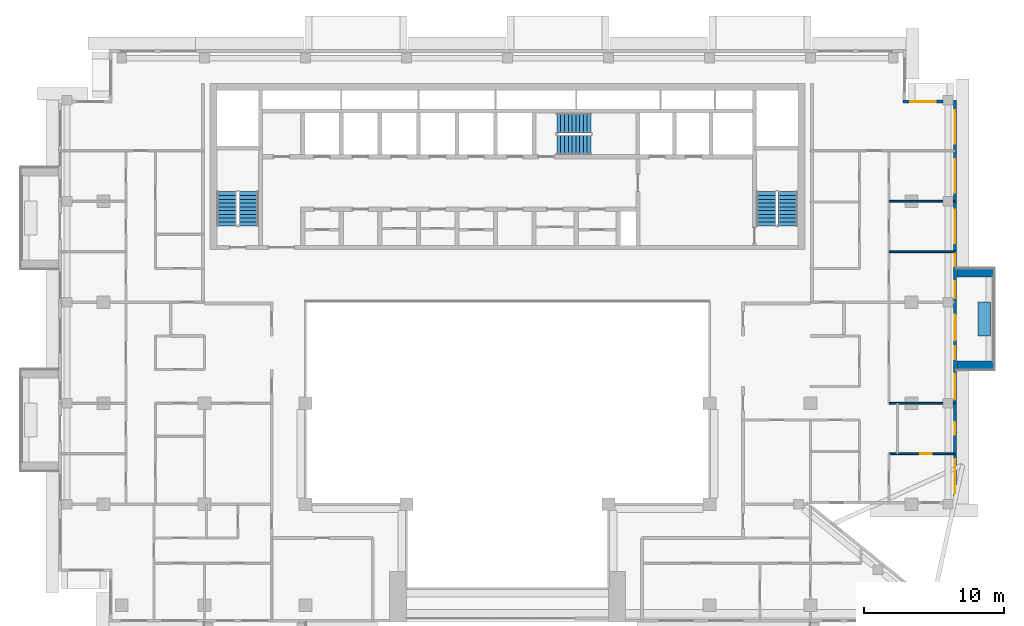
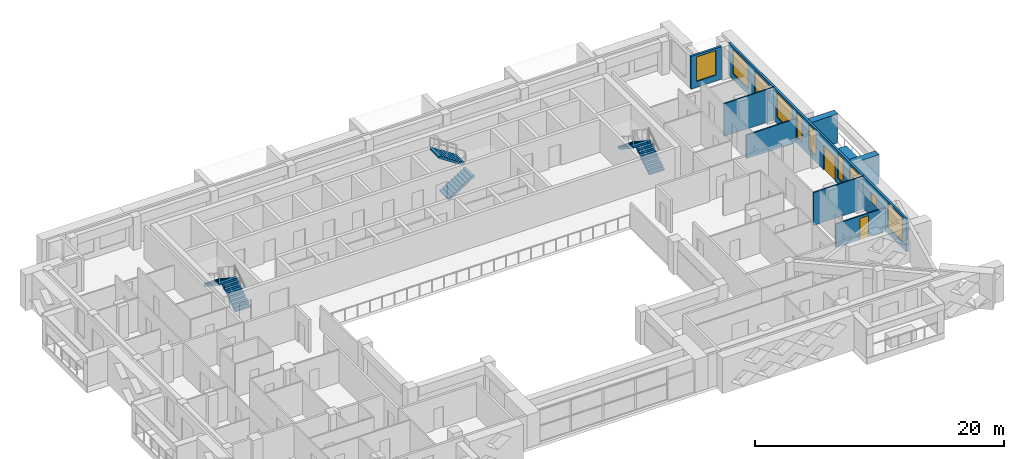
# One storey, part 12 of 19: 10 windows, 9 walls, 6 stair flights, 2 doors, 12 openings, 3 elements without a shape of their own.
"""IFC4 building model written with IfcOpenShell, lengths in metres."""

from ifc_helpers import new_model, si_unit, direction, frame, frame_2d, origin, place, context, subcontext, project, spatial, polyline, rectangle, outline, extrude, material, layer, layer_set, type_object, element, fill, aggregate, save


model = new_model("IFC4")

# Units and contexts
model_context = context("Model", 3, precision=1e-05, world=origin(), true_north=direction((0.0, 1.0)))
body_context = subcontext(model_context, "Body", "Model", "MODEL_VIEW")
ifc_project = project(units=[si_unit("LENGTHUNIT", "METRE"), si_unit("AREAUNIT", "SQUARE_METRE"), si_unit("VOLUMEUNIT", "CUBIC_METRE"), si_unit("PLANEANGLEUNIT", "RADIAN"), si_unit("MASSUNIT", "GRAM", prefix="KILO")], contexts=[model_context])

# Site, building, storey
site_placement = place(None, origin())
site = spatial("IfcSite", under=ifc_project, at=site_placement, CompositionType="ELEMENT")
building_placement = place(site_placement, origin())
building = spatial("IfcBuilding", under=site, at=building_placement, Name="Saffron Iwan Residences", CompositionType="ELEMENT")
storey_placement = place(building_placement, frame((0.0, 0.0, 222.0)))
storey = spatial("IfcBuildingStorey", under=building, at=storey_placement, Name="L59", CompositionType="ELEMENT", Elevation=222.0)

# Walls
ifc_material_1 = material(Name="Concrete C50/60 white painted", Category="concrete")
ifc_layer_1 = layer(ifc_material_1, 0.60009765625)
ifc_layer_set_1 = layer_set([ifc_layer_1], Name="Concrete C50/60 white painted")
wall_type_1 = type_object("IfcWallType", Name="BALCONY FIN 600", PredefinedType="SOLIDWALL", material=ifc_layer_set_1)
for number, where, z_axis, x_axis, name in (
    (1, (82.449951171875, 57.89990234375, 0.0), (0.0, 0.0, 1.0), (1.0, 0.0, 0.0), "Balcony fin L59 F2-0a"),
    (2, (82.449951171875, 64.5, 0.0), (0.0, 0.0, 1.0), (1.0, 0.0, 0.0), "Balcony fin L59 F2-0b"),
):
    element("IfcWall", number, at=place(storey_placement, frame(where, z_axis=z_axis, x_axis=x_axis)), inside=storey, type_object=wall_type_1, Name=name, PredefinedType="SOLIDWALL", context=body_context, shape_type="SweptSolid", body=[
        extrude(rectangle(XDim=2.650146484375, YDim=0.60009765625, at=frame_2d((1.3251953125, 0.0))), origin(), (0.0, 0.0, 1.0), 2.85009765625),
    ])
ifc_material_2 = material(Name="Concrete C35/45 white painted", Category="concrete")
ifc_layer_2 = layer(ifc_material_2, 0.14990234375)
ifc_layer_set_2 = layer_set([ifc_layer_2], Name="Concrete C35/45 white painted")
wall_type_2 = type_object("IfcWallType", Name="BALCONY PLANTER", PredefinedType="SOLIDWALL", material=ifc_layer_set_2)
wall_1_placement = place(storey_placement, frame((84.375, 60.0, 0.0), z_axis=(0.0, 0.0, 1.0), x_axis=(0.0, 1.0, 0.0)))
element("IfcWall", 3, at=wall_1_placement, inside=storey, type_object=wall_type_2, Name="PLANTER L59 F2-0", PredefinedType="SOLIDWALL", context=body_context, shape_type="SweptSolid", body=[
    extrude(rectangle(XDim=2.39990234375, YDim=0.89990234375, at=frame_2d((1.199951171875, 0.0))), origin(), (0.0, 0.0, 1.0), 0.89990234375),
])

# Wall, openings, door, windows
ifc_material_3 = material(Name="Concrete C40/50", Category="concrete")
ifc_layer_3 = layer(ifc_material_3, 0.199951171875)
ifc_layer_set_3 = layer_set([ifc_layer_3], Name="Concrete C40/50")
wall_type_3 = type_object("IfcWallType", Name="EXTERNAL WALL 200", PredefinedType="SOLIDWALL", material=ifc_layer_set_3)
wall_2_placement = place(storey_placement, frame((82.300048828125, 48.199951171875, 0.0), z_axis=(0.0, 0.0, 1.0), x_axis=(0.0, 1.0, 0.0)))
wall_2 = element("IfcWall", 4, at=wall_2_placement, inside=storey, type_object=wall_type_3, Name="External wall L59 F2.0", PredefinedType="SOLIDWALL", context=body_context, shape_type="SweptSolid", body=[
    extrude(rectangle(XDim=28.60009765625, YDim=0.199951171875, at=frame_2d((14.300048828125, 0.0))), origin(), (0.0, 0.0, 1.0), 3.219970703125),
])
opening_1_placement = place(wall_2_placement, frame((11.5, 0.0, 0.0)))
opening_1 = element("IfcOpeningElement", 5, at=opening_1_placement, cuts=wall_2, Name="Opening BD1", PredefinedType="OPENING", context=body_context, shape_type="SweptSolid", body=[
    extrude(rectangle(XDim=1.800048828125, YDim=2.39990234375, at=frame_2d((0.89990234375, 1.199951171875))), frame((0.0, 0.10986328125, 0.0), z_axis=(0.0, -1.0, 0.0), x_axis=(1.0, 0.0, 0.0)), (0.0, 0.0, 1.0), 0.219970703125),
])
opening_2_placement = place(wall_2_placement, frame((0.60009765625, 0.0, 0.60009765625)))
opening_2 = element("IfcOpeningElement", 6, at=opening_2_placement, cuts=wall_2, Name="Opening W1", PredefinedType="OPENING", context=body_context, shape_type="SweptSolid", body=[
    extrude(rectangle(XDim=2.39990234375, YDim=2.39990234375, at=frame_2d((1.199951171875, 1.199951171875))), frame((0.0, 0.10986328125, 0.0), z_axis=(0.0, -1.0, 0.0), x_axis=(1.0, 0.0, 0.0)), (0.0, 0.0, 1.0), 0.219970703125),
])
opening_3_placement = place(wall_2_placement, frame((4.75, 0.0, 1.5)))
opening_3 = element("IfcOpeningElement", 7, at=opening_3_placement, cuts=wall_2, Name="Opening W6", PredefinedType="OPENING", context=body_context, shape_type="SweptSolid", body=[
    extrude(rectangle(XDim=0.89990234375, YDim=0.89990234375, at=frame_2d((0.449951171875, 0.449951171875))), frame((0.0, 0.10986328125, 0.0), z_axis=(0.0, -1.0, 0.0), x_axis=(1.0, 0.0, 0.0)), (0.0, 0.0, 1.0), 0.219970703125),
])
opening_4_placement = place(wall_2_placement, frame((7.300048828125, 0.0, 0.60009765625)))
opening_4 = element("IfcOpeningElement", 8, at=opening_4_placement, cuts=wall_2, Name="Opening W8", PredefinedType="OPENING", context=body_context, shape_type="SweptSolid", body=[
    extrude(rectangle(XDim=1.800048828125, YDim=2.39990234375, at=frame_2d((0.89990234375, 1.199951171875))), frame((0.0, 0.10986328125, 0.0), z_axis=(0.0, -1.0, 0.0), x_axis=(1.0, 0.0, 0.0)), (0.0, 0.0, 1.0), 0.219970703125),
])
opening_5_placement = place(wall_2_placement, frame((10.14990234375, 0.0, 0.60009765625)))
opening_5 = element("IfcOpeningElement", 9, at=opening_5_placement, cuts=wall_2, Name="Opening W10", PredefinedType="OPENING", context=body_context, shape_type="SweptSolid", body=[
    extrude(rectangle(XDim=0.89990234375, YDim=2.39990234375, at=frame_2d((0.449951171875, 1.199951171875))), frame((0.0, 0.10986328125, 0.0), z_axis=(0.0, -1.0, 0.0), x_axis=(1.0, 0.0, 0.0)), (0.0, 0.0, 1.0), 0.219970703125),
])
opening_6_placement = place(wall_2_placement, frame((14.5, 0.0, 0.60009765625)))
opening_6 = element("IfcOpeningElement", 10, at=opening_6_placement, cuts=wall_2, Name="Opening W3", PredefinedType="OPENING", context=body_context, shape_type="SweptSolid", body=[
    extrude(rectangle(XDim=1.199951171875, YDim=2.39990234375, at=frame_2d((0.60009765625, 1.199951171875))), frame((0.0, 0.10986328125, 0.0), z_axis=(0.0, -1.0, 0.0), x_axis=(1.0, 0.0, 0.0)), (0.0, 0.0, 1.0), 0.219970703125),
])
opening_7_placement = place(wall_2_placement, frame((16.75, 0.0, 0.60009765625)))
opening_7 = element("IfcOpeningElement", 11, at=opening_7_placement, cuts=wall_2, Name="Opening W10", PredefinedType="OPENING", context=body_context, shape_type="SweptSolid", body=[
    extrude(rectangle(XDim=0.89990234375, YDim=2.39990234375, at=frame_2d((0.449951171875, 1.199951171875))), frame((0.0, 0.10986328125, 0.0), z_axis=(0.0, -1.0, 0.0), x_axis=(1.0, 0.0, 0.0)), (0.0, 0.0, 1.0), 0.219970703125),
])
opening_8_placement = place(wall_2_placement, frame((18.39990234375, 0.0, 0.60009765625)))
opening_8 = element("IfcOpeningElement", 12, at=opening_8_placement, cuts=wall_2, Name="Opening W1", PredefinedType="OPENING", context=body_context, shape_type="SweptSolid", body=[
    extrude(rectangle(XDim=2.39990234375, YDim=2.39990234375, at=frame_2d((1.199951171875, 1.199951171875))), frame((0.0, 0.10986328125, 0.0), z_axis=(0.0, -1.0, 0.0), x_axis=(1.0, 0.0, 0.0)), (0.0, 0.0, 1.0), 0.219970703125),
])
opening_9_placement = place(wall_2_placement, frame((22.0, 0.0, 0.60009765625)))
opening_9 = element("IfcOpeningElement", 13, at=opening_9_placement, cuts=wall_2, Name="Opening W1", PredefinedType="OPENING", context=body_context, shape_type="SweptSolid", body=[
    extrude(rectangle(XDim=2.39990234375, YDim=2.39990234375, at=frame_2d((1.199951171875, 1.199951171875))), frame((0.0, 0.10986328125, 0.0), z_axis=(0.0, -1.0, 0.0), x_axis=(1.0, 0.0, 0.0)), (0.0, 0.0, 1.0), 0.219970703125),
])
opening_10_placement = place(wall_2_placement, frame((25.5, 0.0, 0.60009765625)))
opening_10 = element("IfcOpeningElement", 14, at=opening_10_placement, cuts=wall_2, Name="Opening W1", PredefinedType="OPENING", context=body_context, shape_type="SweptSolid", body=[
    extrude(rectangle(XDim=2.39990234375, YDim=2.39990234375, at=frame_2d((1.199951171875, 1.199951171875))), frame((0.0, 0.10986328125, 0.0), z_axis=(0.0, -1.0, 0.0), x_axis=(1.0, 0.0, 0.0)), (0.0, 0.0, 1.0), 0.219970703125),
])
ifc_material_4 = material(Name="Clear glass, laminated double glazed", Category="glass")
door_type_1 = type_object("IfcDoorType", Name="BALCONY DOOR 1800 x 2400", OperationType="DOUBLE_DOOR_SLIDING", PredefinedType="DOOR", material=ifc_material_4)
door_1_placement = place(opening_1_placement, origin())
door_1 = element("IfcDoor", 15, at=door_1_placement, inside=storey, type_object=door_type_1, Name="Balcony door L59 F2.0", OperationType="DOUBLE_DOOR_SLIDING", OverallHeight=2.39990234375, OverallWidth=1.800048828125, PredefinedType="DOOR", context=body_context, shape_type="SweptSolid", body=[
    extrude(rectangle(XDim=1.800048828125, YDim=2.39990234375, at=frame_2d((0.89990234375, 1.199951171875))), frame((0.0, 0.02490234375, 0.0), z_axis=(0.0, -1.0, 0.0), x_axis=(1.0, 0.0, 0.0)), (0.0, 0.0, 1.0), 0.050048828125),
])
fill(opening_1, door_1)
window_type_1 = type_object("IfcWindowType", Name="WINDOW 1200 x 2400", PartitioningType="SINGLE_PANEL", PredefinedType="WINDOW", material=ifc_material_4)
window_1_placement = place(opening_6_placement, origin())
window_1 = element("IfcWindow", 16, at=window_1_placement, inside=storey, type_object=window_type_1, Name="Window L59 F2.5", OverallHeight=2.39990234375, OverallWidth=1.199951171875, PartitioningType="SINGLE_PANEL", PredefinedType="WINDOW", context=body_context, shape_type="SweptSolid", body=[
    extrude(rectangle(XDim=1.199951171875, YDim=2.39990234375, at=frame_2d((0.60009765625, 1.199951171875))), frame((0.0, 0.030029296875, 0.0), z_axis=(0.0, -1.0, 0.0), x_axis=(1.0, 0.0, 0.0)), (0.0, 0.0, 1.0), 0.06005859375),
])
fill(opening_6, window_1)
window_type_2 = type_object("IfcWindowType", Name="WINDOW 1800 x 2400", PartitioningType="DOUBLE_PANEL_VERTICAL", PredefinedType="WINDOW", material=ifc_material_4)
window_2_placement = place(opening_4_placement, origin())
window_2 = element("IfcWindow", 17, at=window_2_placement, inside=storey, type_object=window_type_2, Name="Window L59 F2.3", OverallHeight=2.39990234375, OverallWidth=1.800048828125, PartitioningType="DOUBLE_PANEL_VERTICAL", PredefinedType="WINDOW", context=body_context, shape_type="SweptSolid", body=[
    extrude(rectangle(XDim=1.800048828125, YDim=2.39990234375, at=frame_2d((0.89990234375, 1.199951171875))), frame((0.0, 0.030029296875, 0.0), z_axis=(0.0, -1.0, 0.0), x_axis=(1.0, 0.0, 0.0)), (0.0, 0.0, 1.0), 0.06005859375),
])
fill(opening_4, window_2)
window_type_3 = type_object("IfcWindowType", Name="WINDOW 2400 x 2400", PartitioningType="DOUBLE_PANEL_VERTICAL", PredefinedType="WINDOW", material=ifc_material_4)
window_3_placement = place(opening_2_placement, origin())
window_3 = element("IfcWindow", 18, at=window_3_placement, inside=storey, type_object=window_type_3, Name="Window L59 F2.1", OverallHeight=2.39990234375, OverallWidth=2.39990234375, PartitioningType="DOUBLE_PANEL_VERTICAL", PredefinedType="WINDOW", context=body_context, shape_type="SweptSolid", body=[
    extrude(rectangle(XDim=2.39990234375, YDim=2.39990234375, at=frame_2d((1.199951171875, 1.199951171875))), frame((0.0, 0.030029296875, 0.0), z_axis=(0.0, -1.0, 0.0), x_axis=(1.0, 0.0, 0.0)), (0.0, 0.0, 1.0), 0.06005859375),
])
fill(opening_2, window_3)
window_4_placement = place(opening_8_placement, origin())
window_4 = element("IfcWindow", 19, at=window_4_placement, inside=storey, type_object=window_type_3, Name="Window L59 F2.7", OverallHeight=2.39990234375, OverallWidth=2.39990234375, PartitioningType="DOUBLE_PANEL_VERTICAL", PredefinedType="WINDOW", context=body_context, shape_type="SweptSolid", body=[
    extrude(rectangle(XDim=2.39990234375, YDim=2.39990234375, at=frame_2d((1.199951171875, 1.199951171875))), frame((0.0, 0.030029296875, 0.0), z_axis=(0.0, -1.0, 0.0), x_axis=(1.0, 0.0, 0.0)), (0.0, 0.0, 1.0), 0.06005859375),
])
fill(opening_8, window_4)
window_5_placement = place(opening_9_placement, origin())
window_5 = element("IfcWindow", 20, at=window_5_placement, inside=storey, type_object=window_type_3, Name="Window L59 F2.8", OverallHeight=2.39990234375, OverallWidth=2.39990234375, PartitioningType="DOUBLE_PANEL_VERTICAL", PredefinedType="WINDOW", context=body_context, shape_type="SweptSolid", body=[
    extrude(rectangle(XDim=2.39990234375, YDim=2.39990234375, at=frame_2d((1.199951171875, 1.199951171875))), frame((0.0, 0.030029296875, 0.0), z_axis=(0.0, -1.0, 0.0), x_axis=(1.0, 0.0, 0.0)), (0.0, 0.0, 1.0), 0.06005859375),
])
fill(opening_9, window_5)
window_6_placement = place(opening_10_placement, origin())
window_6 = element("IfcWindow", 21, at=window_6_placement, inside=storey, type_object=window_type_3, Name="Window L59 F2.9", OverallHeight=2.39990234375, OverallWidth=2.39990234375, PartitioningType="DOUBLE_PANEL_VERTICAL", PredefinedType="WINDOW", context=body_context, shape_type="SweptSolid", body=[
    extrude(rectangle(XDim=2.39990234375, YDim=2.39990234375, at=frame_2d((1.199951171875, 1.199951171875))), frame((0.0, 0.030029296875, 0.0), z_axis=(0.0, -1.0, 0.0), x_axis=(1.0, 0.0, 0.0)), (0.0, 0.0, 1.0), 0.06005859375),
])
fill(opening_10, window_6)
window_type_4 = type_object("IfcWindowType", Name="WINDOW 900 x 2400", PartitioningType="SINGLE_PANEL", PredefinedType="WINDOW", material=ifc_material_4)
window_7_placement = place(opening_5_placement, origin())
window_7 = element("IfcWindow", 22, at=window_7_placement, inside=storey, type_object=window_type_4, Name="Window L59 F2.4", OverallHeight=2.39990234375, OverallWidth=0.89990234375, PartitioningType="SINGLE_PANEL", PredefinedType="WINDOW", context=body_context, shape_type="SweptSolid", body=[
    extrude(rectangle(XDim=0.89990234375, YDim=2.39990234375, at=frame_2d((0.449951171875, 1.199951171875))), frame((0.0, 0.030029296875, 0.0), z_axis=(0.0, -1.0, 0.0), x_axis=(1.0, 0.0, 0.0)), (0.0, 0.0, 1.0), 0.06005859375),
])
fill(opening_5, window_7)
window_8_placement = place(opening_7_placement, origin())
window_8 = element("IfcWindow", 23, at=window_8_placement, inside=storey, type_object=window_type_4, Name="Window L59 F2.6", OverallHeight=2.39990234375, OverallWidth=0.89990234375, PartitioningType="SINGLE_PANEL", PredefinedType="WINDOW", context=body_context, shape_type="SweptSolid", body=[
    extrude(rectangle(XDim=0.89990234375, YDim=2.39990234375, at=frame_2d((0.449951171875, 1.199951171875))), frame((0.0, 0.030029296875, 0.0), z_axis=(0.0, -1.0, 0.0), x_axis=(1.0, 0.0, 0.0)), (0.0, 0.0, 1.0), 0.06005859375),
])
fill(opening_7, window_8)
window_type_5 = type_object("IfcWindowType", Name="WINDOW 900 x 900 BATH", PartitioningType="SINGLE_PANEL", PredefinedType="WINDOW", material=ifc_material_4)
window_9_placement = place(opening_3_placement, origin())
window_9 = element("IfcWindow", 24, at=window_9_placement, inside=storey, type_object=window_type_5, Name="Window L59 F2.2", OverallHeight=0.89990234375, OverallWidth=0.89990234375, PartitioningType="SINGLE_PANEL", PredefinedType="WINDOW", context=body_context, shape_type="SweptSolid", body=[
    extrude(rectangle(XDim=0.89990234375, YDim=0.89990234375, at=frame_2d((0.449951171875, 0.449951171875))), frame((0.0, 0.030029296875, 0.0), z_axis=(0.0, -1.0, 0.0), x_axis=(1.0, 0.0, 0.0)), (0.0, 0.0, 1.0), 0.06005859375),
])
fill(opening_3, window_9)

# Wall, opening, window
wall_3_placement = place(storey_placement, frame((81.449951171875, 76.699951171875, 0.0), z_axis=(0.0, 0.0, 1.0), x_axis=(-1.0, 0.0, 0.0)))
wall_3 = element("IfcWall", 25, at=wall_3_placement, inside=storey, type_object=wall_type_3, Name="External wall L59 F3.0", PredefinedType="SOLIDWALL", context=body_context, shape_type="SweptSolid", body=[
    extrude(rectangle(XDim=2.849853515625, YDim=0.199951171875, at=frame_2d((1.4248046875, 0.0))), origin(), (0.0, 0.0, 1.0), 3.219970703125),
])
opening_11_placement = place(wall_3_placement, frame((0.52490234375, 0.0, 0.60009765625)))
opening_11 = element("IfcOpeningElement", 26, at=opening_11_placement, cuts=wall_3, Name="Opening W8", PredefinedType="OPENING", context=body_context, shape_type="SweptSolid", body=[
    extrude(rectangle(XDim=1.800048828125, YDim=2.39990234375, at=frame_2d((0.89990234375, 1.199951171875))), frame((0.0, 0.10986328125, 0.0), z_axis=(0.0, -1.0, 0.0), x_axis=(1.0, 0.0, 0.0)), (0.0, 0.0, 1.0), 0.219970703125),
])
window_10_placement = place(opening_11_placement, origin())
window_10 = element("IfcWindow", 27, at=window_10_placement, inside=storey, type_object=window_type_2, Name="Window L59 F3.0", OverallHeight=2.39990234375, OverallWidth=1.800048828125, PartitioningType="DOUBLE_PANEL_VERTICAL", PredefinedType="WINDOW", context=body_context, shape_type="SweptSolid", body=[
    extrude(rectangle(XDim=1.800048828125, YDim=2.39990234375, at=frame_2d((0.89990234375, 1.199951171875))), frame((0.0, 0.030029296875, 0.0), z_axis=(0.0, -1.0, 0.0), x_axis=(1.0, 0.0, 0.0)), (0.0, 0.0, 1.0), 0.06005859375),
])
fill(opening_11, window_10)

# Wall, opening, door
ifc_material_5 = material(Name="Gypsum board partition")
ifc_layer_4 = layer(ifc_material_5, 0.1201171875)
ifc_layer_set_4 = layer_set([ifc_layer_4], Name="Gypsum board partition")
wall_type_4 = type_object("IfcWallType", Name="Flat partition 120", PredefinedType="PARTITIONING", material=ifc_layer_set_4)
wall_4_placement = place(storey_placement, frame((77.60009765625, 51.60009765625, 0.0), z_axis=(0.0, 0.0, 1.0), x_axis=(1.0, 0.0, 0.0)))
wall_4 = element("IfcWall", 28, at=wall_4_placement, inside=storey, type_object=wall_type_4, Name="W-L59-PART-h51.6-77.6", PredefinedType="PARTITIONING", context=body_context, shape_type="SweptSolid", body=[
    extrude(rectangle(XDim=4.6748046875, YDim=0.1201171875, at=frame_2d((2.33740234375, 0.0))), origin(), (0.0, 0.0, 1.0), 2.320068359375),
])
opening_12_placement = place(wall_4_placement, frame((2.237548828125, 0.0, 0.0)))
opening_12 = element("IfcOpeningElement", 29, at=opening_12_placement, cuts=wall_4, Name="Opening FD3", PredefinedType="OPENING", context=body_context, shape_type="SweptSolid", body=[
    extrude(rectangle(XDim=0.800048828125, YDim=2.10009765625, at=frame_2d((0.39990234375, 1.050048828125))), frame((0.0, 0.070068359375, 0.0), z_axis=(0.0, -1.0, 0.0), x_axis=(1.0, 0.0, 0.0)), (0.0, 0.0, 1.0), 0.14013671875),
])
ifc_material_6 = material(Name="Timber door", Category="wood")
door_type_2 = type_object("IfcDoorType", Name="Bathroom door 800", OperationType="NOTDEFINED", PredefinedType="DOOR", material=ifc_material_6)
door_2_placement = place(opening_12_placement, origin())
door_2 = element("IfcDoor", 30, at=door_2_placement, inside=storey, type_object=door_type_2, Name="Door L59-018", OperationType="SINGLE_SWING_LEFT", OverallHeight=2.10009765625, OverallWidth=0.800048828125, PredefinedType="DOOR", context=body_context, shape_type="SweptSolid", body=[
    extrude(rectangle(XDim=0.800048828125, YDim=2.10009765625, at=frame_2d((0.39990234375, 1.050048828125))), frame((0.0, 0.02490234375, 0.0), z_axis=(0.0, -1.0, 0.0), x_axis=(1.0, 0.0, 0.0)), (0.0, 0.0, 1.0), 0.050048828125),
])
fill(opening_12, door_2)

# Walls
wall_5_placement = place(storey_placement, frame((77.60009765625, 55.199951171875, 0.0), z_axis=(0.0, 0.0, 1.0), x_axis=(1.0, 0.0, 0.0)))
element("IfcWall", 31, at=wall_5_placement, inside=storey, type_object=wall_type_4, Name="W-L59-PART-h55.2-77.6", PredefinedType="PARTITIONING", context=body_context, shape_type="SweptSolid", body=[
    extrude(rectangle(XDim=4.6748046875, YDim=0.1201171875, at=frame_2d((2.33740234375, 0.0))), origin(), (0.0, 0.0, 1.0), 3.219970703125),
])
wall_6_placement = place(storey_placement, frame((77.60009765625, 66.0, 0.0), z_axis=(0.0, 0.0, 1.0), x_axis=(1.0, 0.0, 0.0)))
element("IfcWall", 32, at=wall_6_placement, inside=storey, type_object=wall_type_4, Name="W-L59-PART-h66-77.6", PredefinedType="PARTITIONING", context=body_context, shape_type="SweptSolid", body=[
    extrude(rectangle(XDim=4.6748046875, YDim=0.1201171875, at=frame_2d((2.33740234375, 0.0))), origin(), (0.0, 0.0, 1.0), 2.320068359375),
])
wall_7_placement = place(storey_placement, frame((77.60009765625, 69.60009765625, 0.0), z_axis=(0.0, 0.0, 1.0), x_axis=(1.0, 0.0, 0.0)))
element("IfcWall", 33, at=wall_7_placement, inside=storey, type_object=wall_type_4, Name="W-L59-PART-h69.6-77.6", PredefinedType="PARTITIONING", context=body_context, shape_type="SweptSolid", body=[
    extrude(rectangle(XDim=4.6748046875, YDim=0.1201171875, at=frame_2d((2.33740234375, 0.0))), origin(), (0.0, 0.0, 1.0), 3.219970703125),
])

# Stair, stair flights
ifc_material_7 = material(Name="Concrete C50/60", Category="concrete")
stair_type = type_object("IfcStairType", Name="Stair ST-CORE", PredefinedType="HALF_TURN_STAIR", material=ifc_material_7)
stair_1_placement = place(storey_placement, origin())
stair_1 = element("IfcStair", 34, at=stair_1_placement, inside=storey, type_object=stair_type, Name="L59 Exit Stair ST-W", PredefinedType="HALF_TURN_STAIR")
ifc_layer_5 = layer(ifc_material_7, 0.14990234375)
ifc_layer_set_5 = layer_set([ifc_layer_5], Name="Concrete C50/60")
stair_flight_type = type_object("IfcStairFlightType", Name="Stair flight SFL-RC", PredefinedType="STRAIGHT", material=ifc_layer_set_5)
stair_flight_1_placement = place(storey_placement, frame((31.949951171875, 67.85009765625, 0.0), z_axis=(0.0, 0.0, 1.0), x_axis=(0.0, 1.0, 0.0)))
stair_flight_1 = element("IfcStairFlight", 35, at=stair_flight_1_placement, type_object=stair_flight_type, Name="ST-W flight 1", NumberOfRisers=10, NumberOfTreads=9, PredefinedType="STRAIGHT", RiserHeight=0.175, TreadLength=0.27, context=body_context, shape_type="SweptSolid", body=[
    extrude(outline(polyline([(0.0, 0.0), (0.0, 0.175048828125), (0.27001953125, 0.175048828125), (0.27001953125, 0.35009765625), (0.5400390625, 0.35009765625), (0.5400390625, 0.52490234375), (0.81005859375, 0.52490234375), (0.81005859375, 0.699951171875), (1.080078125, 0.699951171875), (1.080078125, 0.875), (1.35009765625, 0.875), (1.35009765625, 1.050048828125), (1.6201171875, 1.050048828125), (1.6201171875, 1.22509765625), (1.889892578125, 1.22509765625), (1.889892578125, 1.39990234375), (2.159912109375, 1.39990234375), (2.159912109375, 1.574951171875), (2.429931640625, 1.574951171875), (2.429931640625, 1.75), (2.429931640625, 1.396484375), (0.275634765625, 0.0), (0.0, 0.0)])), frame((0.0, 0.699951171875, 0.0), z_axis=(0.0, -1.0, 0.0), x_axis=(1.0, 0.0, 0.0)), (0.0, 0.0, 1.0), 1.39990234375),
])
stair_flight_2_placement = place(storey_placement, frame((30.39990234375, 70.280029296875, 1.75), z_axis=(0.0, 0.0, 1.0), x_axis=(0.0, -1.0, 0.0)))
stair_flight_2 = element("IfcStairFlight", 36, at=stair_flight_2_placement, type_object=stair_flight_type, Name="ST-W flight 2", NumberOfRisers=10, NumberOfTreads=9, PredefinedType="STRAIGHT", RiserHeight=0.175, TreadLength=0.27, context=body_context, shape_type="SweptSolid", body=[
    extrude(outline(polyline([(0.0, 0.0), (0.0, 0.175048828125), (0.27001953125, 0.175048828125), (0.27001953125, 0.35009765625), (0.5400390625, 0.35009765625), (0.5400390625, 0.52490234375), (0.81005859375, 0.52490234375), (0.81005859375, 0.699951171875), (1.080078125, 0.699951171875), (1.080078125, 0.875), (1.35009765625, 0.875), (1.35009765625, 1.050048828125), (1.6201171875, 1.050048828125), (1.6201171875, 1.22509765625), (1.889892578125, 1.22509765625), (1.889892578125, 1.39990234375), (2.159912109375, 1.39990234375), (2.159912109375, 1.574951171875), (2.429931640625, 1.574951171875), (2.429931640625, 1.75), (2.429931640625, 1.396484375), (0.275634765625, 0.0), (0.0, 0.0)])), frame((0.0, 0.699951171875, 0.0), z_axis=(0.0, -1.0, 0.0), x_axis=(1.0, 0.0, 0.0)), (0.0, 0.0, 1.0), 1.39990234375),
])
aggregate(stair_1, [stair_flight_1, stair_flight_2])

stair_2_placement = place(storey_placement, origin())
stair_2 = element("IfcStair", 37, at=stair_2_placement, inside=storey, type_object=stair_type, Name="L59 Exit Stair ST-C", PredefinedType="HALF_TURN_STAIR")
stair_flight_3_placement = place(storey_placement, frame((53.925048828125, 73.625, 0.0), z_axis=(0.0, 0.0, 1.0), x_axis=(1.0, 0.0, 0.0)))
stair_flight_3 = element("IfcStairFlight", 38, at=stair_flight_3_placement, type_object=stair_flight_type, Name="ST-C flight 1", NumberOfRisers=10, NumberOfTreads=9, PredefinedType="STRAIGHT", RiserHeight=0.175, TreadLength=0.27, context=body_context, shape_type="SweptSolid", body=[
    extrude(outline(polyline([(0.0, 0.0), (0.0, 0.175048828125), (0.27001953125, 0.175048828125), (0.27001953125, 0.35009765625), (0.5400390625, 0.35009765625), (0.5400390625, 0.52490234375), (0.81005859375, 0.52490234375), (0.81005859375, 0.699951171875), (1.080078125, 0.699951171875), (1.080078125, 0.875), (1.35009765625, 0.875), (1.35009765625, 1.050048828125), (1.6201171875, 1.050048828125), (1.6201171875, 1.22509765625), (1.889892578125, 1.22509765625), (1.889892578125, 1.39990234375), (2.159912109375, 1.39990234375), (2.159912109375, 1.574951171875), (2.429931640625, 1.574951171875), (2.429931640625, 1.75), (2.429931640625, 1.396484375), (0.275634765625, 0.0), (0.0, 0.0)])), frame((0.0, 0.699951171875, 0.0), z_axis=(0.0, -1.0, 0.0), x_axis=(1.0, 0.0, 0.0)), (0.0, 0.0, 1.0), 1.39990234375),
])
stair_flight_4_placement = place(storey_placement, frame((56.35498046875, 75.175048828125, 1.75), z_axis=(0.0, 0.0, 1.0), x_axis=(-1.0, 0.0, 0.0)))
stair_flight_4 = element("IfcStairFlight", 39, at=stair_flight_4_placement, type_object=stair_flight_type, Name="ST-C flight 2", NumberOfRisers=10, NumberOfTreads=9, PredefinedType="STRAIGHT", RiserHeight=0.175, TreadLength=0.27, context=body_context, shape_type="SweptSolid", body=[
    extrude(outline(polyline([(0.0, 0.0), (0.0, 0.175048828125), (0.27001953125, 0.175048828125), (0.27001953125, 0.35009765625), (0.5400390625, 0.35009765625), (0.5400390625, 0.52490234375), (0.81005859375, 0.52490234375), (0.81005859375, 0.699951171875), (1.080078125, 0.699951171875), (1.080078125, 0.875), (1.35009765625, 0.875), (1.35009765625, 1.050048828125), (1.6201171875, 1.050048828125), (1.6201171875, 1.22509765625), (1.889892578125, 1.22509765625), (1.889892578125, 1.39990234375), (2.159912109375, 1.39990234375), (2.159912109375, 1.574951171875), (2.429931640625, 1.574951171875), (2.429931640625, 1.75), (2.429931640625, 1.396484375), (0.275634765625, 0.0), (0.0, 0.0)])), frame((0.0, 0.699951171875, 0.0), z_axis=(0.0, -1.0, 0.0), x_axis=(1.0, 0.0, 0.0)), (0.0, 0.0, 1.0), 1.39990234375),
])
aggregate(stair_2, [stair_flight_3, stair_flight_4])

stair_3_placement = place(storey_placement, origin())
stair_3 = element("IfcStair", 40, at=stair_3_placement, inside=storey, type_object=stair_type, Name="L59 Exit Stair ST-E", PredefinedType="HALF_TURN_STAIR")
stair_flight_5_placement = place(storey_placement, frame((70.39990234375, 67.85009765625, 0.0), z_axis=(0.0, 0.0, 1.0), x_axis=(0.0, 1.0, 0.0)))
stair_flight_5 = element("IfcStairFlight", 41, at=stair_flight_5_placement, type_object=stair_flight_type, Name="ST-E flight 1", NumberOfRisers=10, NumberOfTreads=9, PredefinedType="STRAIGHT", RiserHeight=0.175, TreadLength=0.27, context=body_context, shape_type="SweptSolid", body=[
    extrude(outline(polyline([(0.0, 0.0), (0.0, 0.175048828125), (0.27001953125, 0.175048828125), (0.27001953125, 0.35009765625), (0.5400390625, 0.35009765625), (0.5400390625, 0.52490234375), (0.81005859375, 0.52490234375), (0.81005859375, 0.699951171875), (1.080078125, 0.699951171875), (1.080078125, 0.875), (1.35009765625, 0.875), (1.35009765625, 1.050048828125), (1.6201171875, 1.050048828125), (1.6201171875, 1.22509765625), (1.889892578125, 1.22509765625), (1.889892578125, 1.39990234375), (2.159912109375, 1.39990234375), (2.159912109375, 1.574951171875), (2.429931640625, 1.574951171875), (2.429931640625, 1.75), (2.429931640625, 1.396484375), (0.275634765625, 0.0), (0.0, 0.0)])), frame((0.0, 0.699951171875, 0.0), z_axis=(0.0, -1.0, 0.0), x_axis=(1.0, 0.0, 0.0)), (0.0, 0.0, 1.0), 1.39990234375),
])
stair_flight_6_placement = place(storey_placement, frame((68.85009765625, 70.280029296875, 1.75), z_axis=(0.0, 0.0, 1.0), x_axis=(0.0, -1.0, 0.0)))
stair_flight_6 = element("IfcStairFlight", 42, at=stair_flight_6_placement, type_object=stair_flight_type, Name="ST-E flight 2", NumberOfRisers=10, NumberOfTreads=9, PredefinedType="STRAIGHT", RiserHeight=0.175, TreadLength=0.27, context=body_context, shape_type="SweptSolid", body=[
    extrude(outline(polyline([(0.0, 0.0), (0.0, 0.175048828125), (0.27001953125, 0.175048828125), (0.27001953125, 0.35009765625), (0.5400390625, 0.35009765625), (0.5400390625, 0.52490234375), (0.81005859375, 0.52490234375), (0.81005859375, 0.699951171875), (1.080078125, 0.699951171875), (1.080078125, 0.875), (1.35009765625, 0.875), (1.35009765625, 1.050048828125), (1.6201171875, 1.050048828125), (1.6201171875, 1.22509765625), (1.889892578125, 1.22509765625), (1.889892578125, 1.39990234375), (2.159912109375, 1.39990234375), (2.159912109375, 1.574951171875), (2.429931640625, 1.574951171875), (2.429931640625, 1.75), (2.429931640625, 1.396484375), (0.275634765625, 0.0), (0.0, 0.0)])), frame((0.0, 0.699951171875, 0.0), z_axis=(0.0, -1.0, 0.0), x_axis=(1.0, 0.0, 0.0)), (0.0, 0.0, 1.0), 1.39990234375),
])
aggregate(stair_3, [stair_flight_5, stair_flight_6])

save(model, "model.ifc")
